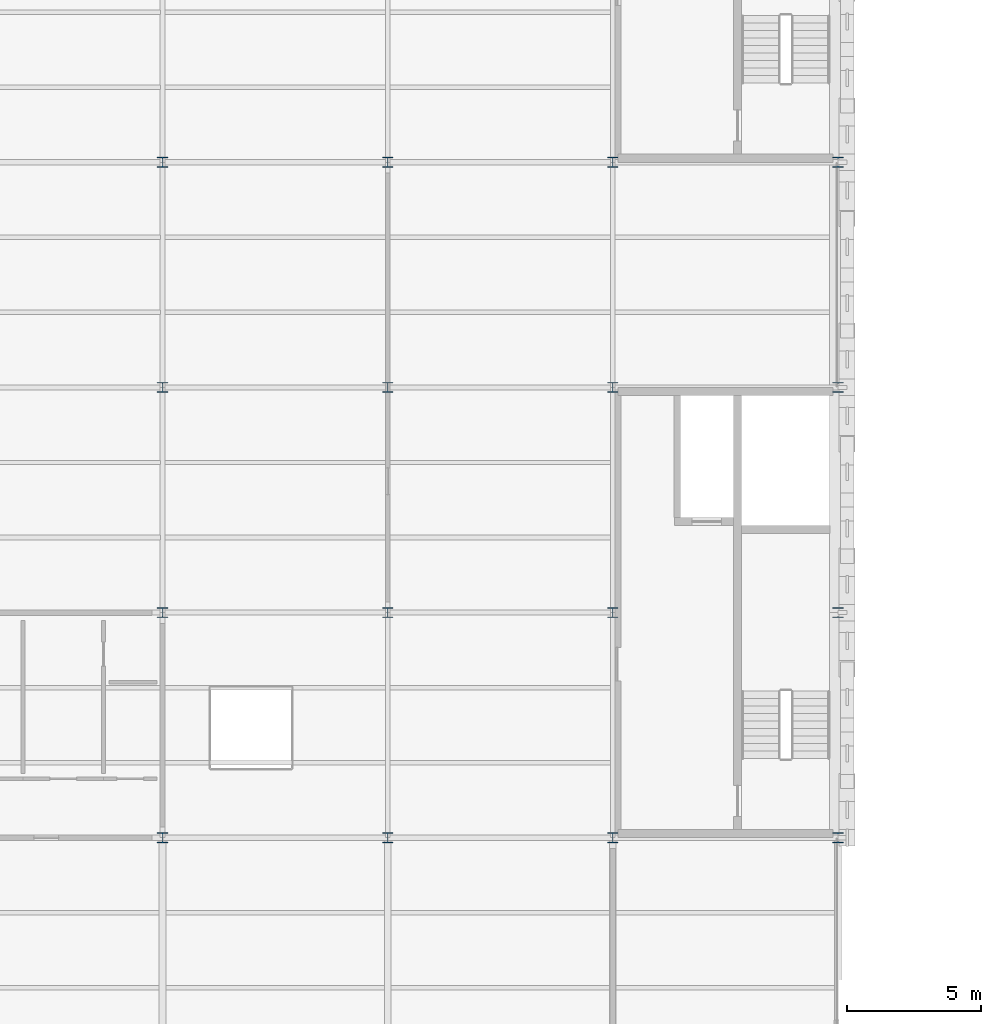
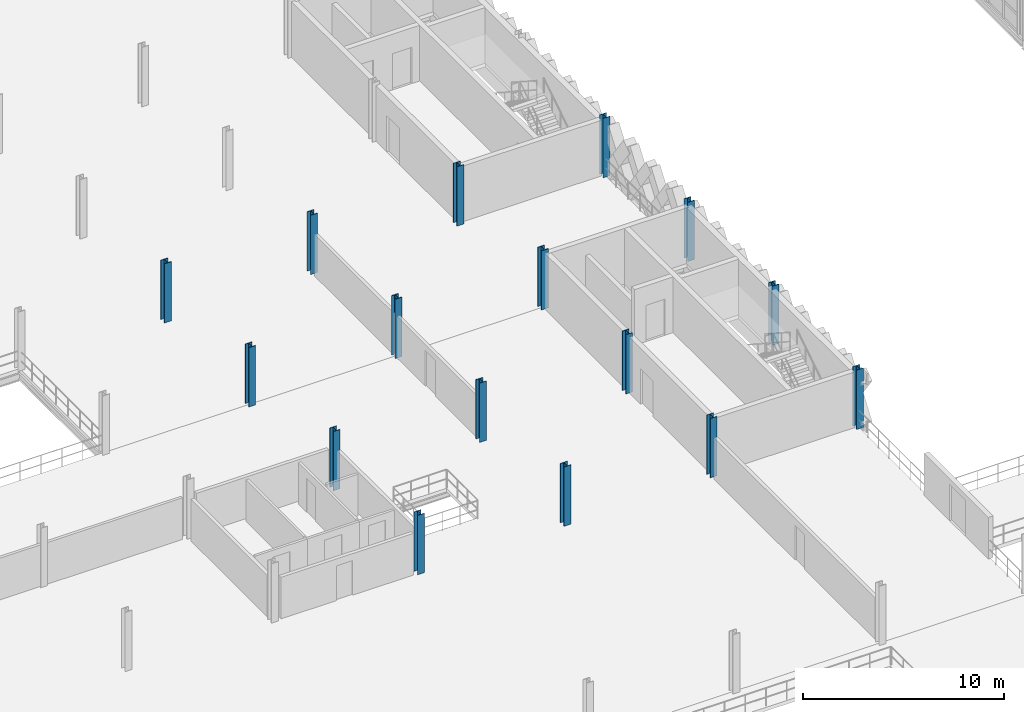
# One storey, part 7 of 101: 16 columns.
"""IFC4 building model written with IfcOpenShell, lengths in metres."""

from ifc_helpers import new_model, si_unit, direction, frame, origin, origin_2d, place, context, subcontext, project, spatial, i_section, extrude, material, material_profile, profile_set, type_object, element, save


model = new_model("IFC4")

# Units and contexts
model_context = context("Model", 3, precision=1e-05, world=origin(), true_north=direction((0.0, 1.0)))
body_context = subcontext(model_context, "Body", "Model", "MODEL_VIEW")
ifc_project = project(units=[si_unit("LENGTHUNIT", "METRE"), si_unit("AREAUNIT", "SQUARE_METRE"), si_unit("VOLUMEUNIT", "CUBIC_METRE"), si_unit("PLANEANGLEUNIT", "RADIAN"), si_unit("MASSUNIT", "GRAM", prefix="KILO"), si_unit("THERMODYNAMICTEMPERATUREUNIT", "KELVIN"), si_unit("POWERUNIT", "WATT")], contexts=[model_context])

# Site, building, storey
site_placement = place(None, origin())
site = spatial("IfcSite", under=ifc_project, at=site_placement, CompositionType="ELEMENT")
building_placement = place(site_placement, origin())
building = spatial("IfcBuilding", under=site, at=building_placement, Name="Tembeka Court Mobility Hub", CompositionType="ELEMENT")
storey_placement = place(building_placement, frame((0.0, 0.0, 5.39990234375)))
storey = spatial("IfcBuildingStorey", under=building, at=storey_placement, Name="L01", CompositionType="ELEMENT", Elevation=5.39990234375)

# Columns
ifc_material = material(Name="Steel S355", Category="steel")
ifc_material_profile = material_profile(ifc_material, i_section(OverallWidth=0.39501953125, OverallDepth=0.381103515625, WebThickness=0.018310546875, FlangeThickness=0.0302734375, FilletRadius=0.01513671875, at=origin_2d()), Name="UKC 356x406x235")
ifc_profile_set = profile_set([ifc_material_profile], Name="Steel S355")
column_type = type_object("IfcColumnType", Name="COL-C02", PredefinedType="COLUMN", material=ifc_profile_set)
for number, where, z_axis, x_axis, name in (
    (1, (67.199951171875, 38.39990234375, 0.0), (0.0, 0.0, 1.0), (1.0, 0.0, 0.0), "Column C02 (L01-095)"),
    (2, (67.199951171875, 46.800048828125, 0.0), (0.0, 0.0, 1.0), (1.0, 0.0, 0.0), "Column C02 (L01-096)"),
    (3, (67.199951171875, 55.199951171875, 0.0), (0.0, 0.0, 1.0), (1.0, 0.0, 0.0), "Column C02 (L01-097)"),
    (4, (67.199951171875, 63.60009765625, 0.0), (0.0, 0.0, 1.0), (1.0, 0.0, 0.0), "Column C02 (L01-098)"),
    (5, (75.60009765625, 38.39990234375, 0.0), (0.0, 0.0, 1.0), (1.0, 0.0, 0.0), "Column C02 (L01-105)"),
    (6, (75.60009765625, 46.800048828125, 0.0), (0.0, 0.0, 1.0), (1.0, 0.0, 0.0), "Column C02 (L01-106)"),
    (7, (75.60009765625, 55.199951171875, 0.0), (0.0, 0.0, 1.0), (1.0, 0.0, 0.0), "Column C02 (L01-107)"),
    (8, (75.60009765625, 63.60009765625, 0.0), (0.0, 0.0, 1.0), (1.0, 0.0, 0.0), "Column C02 (L01-108)"),
    (9, (84.0, 38.39990234375, 0.0), (0.0, 0.0, 1.0), (1.0, 0.0, 0.0), "Column C02 (L01-116)"),
    (10, (84.0, 46.800048828125, 0.0), (0.0, 0.0, 1.0), (1.0, 0.0, 0.0), "Column C02 (L01-117)"),
    (11, (84.0, 55.199951171875, 0.0), (0.0, 0.0, 1.0), (1.0, 0.0, 0.0), "Column C02 (L01-118)"),
    (12, (84.0, 63.60009765625, 0.0), (0.0, 0.0, 1.0), (1.0, 0.0, 0.0), "Column C02 (L01-119)"),
    (13, (92.39990234375, 38.39990234375, 0.0), (0.0, 0.0, 1.0), (1.0, 0.0, 0.0), "Column C02 (L01-128)"),
    (14, (92.39990234375, 46.800048828125, 0.0), (0.0, 0.0, 1.0), (1.0, 0.0, 0.0), "Column C02 (L01-129)"),
    (15, (92.39990234375, 55.199951171875, 0.0), (0.0, 0.0, 1.0), (1.0, 0.0, 0.0), "Column C02 (L01-130)"),
    (16, (92.39990234375, 63.60009765625, 0.0), (0.0, 0.0, 1.0), (1.0, 0.0, 0.0), "Column C02 (L01-131)"),
):
    element("IfcColumn", number, at=place(storey_placement, frame(where, z_axis=z_axis, x_axis=x_axis)), inside=storey, type_object=column_type, Name=name, PredefinedType="COLUMN", context=body_context, shape_type="SweptSolid", body=[
        extrude(i_section(OverallWidth=0.39501953125, OverallDepth=0.381103515625, WebThickness=0.018310546875, FlangeThickness=0.0302734375, FilletRadius=0.01513671875, at=origin_2d()), origin(), (0.0, 0.0, 1.0), 3.60009765625),
    ])

save(model, "model.ifc")
